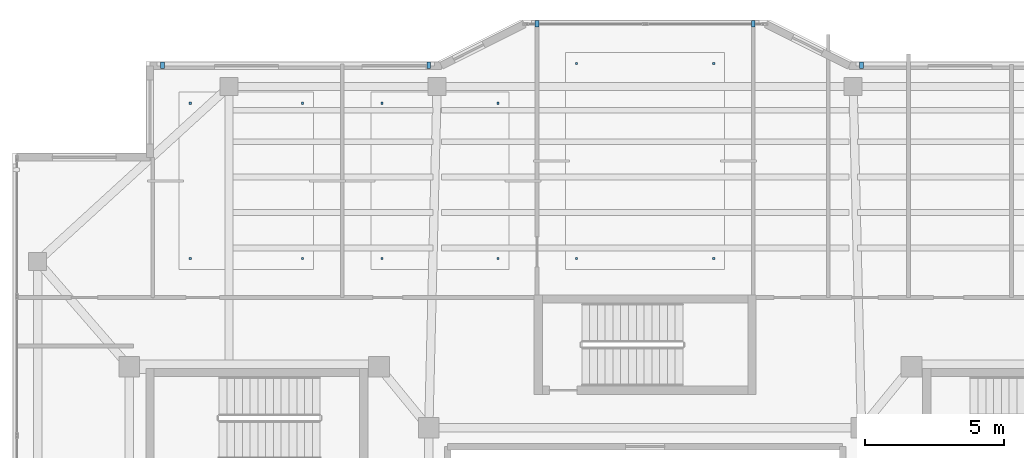
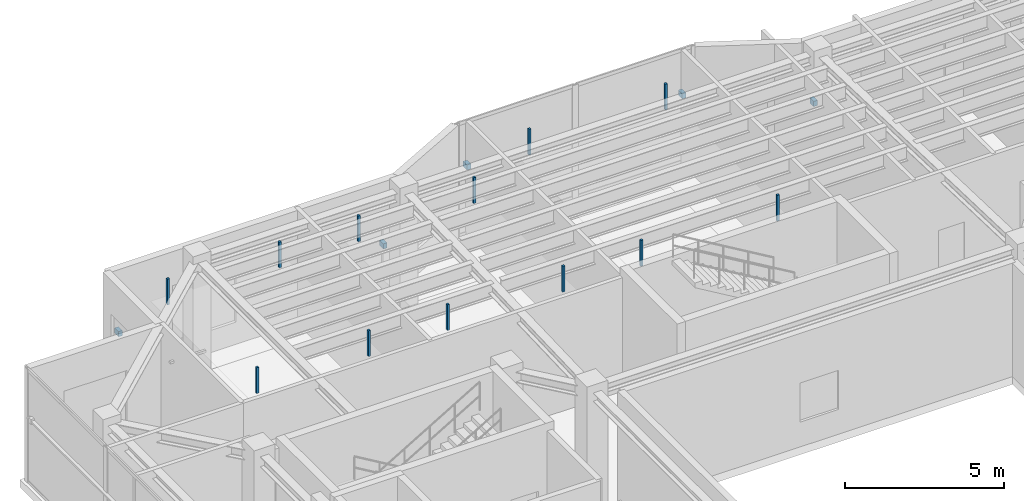
# One storey, part 21 of 25: 17 discrete accessories.
"""IFC4 building model written with IfcOpenShell, lengths in metres."""

import ifcopenshell
import ifcopenshell.guid

model = None  # the IFC model being written
_history = None  # IfcOwnerHistory: only IFC2X3 demands one
_inside = {}  # id of a spatial element -> (the spatial element, [elements in it])
_under = {}  # id of a project, library or spatial element -> (it, [spatial elements below it])
_declared = {}  # id of a project -> (the project, [libraries it declares])
_typed = {}  # id of a type object -> (the type object, [elements of that type])
_made_of = {}  # id of a material, layer set ... -> (it, [elements and type objects made of it])


def new_model(schema):
    """Start an empty IFC model of exactly this schema.

    Asked for "IFC4X3", IfcOpenShell would pick the latest addendum, in which some entities
    have other attributes; the version numbers below select the first issue.
    IFC2X3 requires an IfcOwnerHistory on every rooted entity: one is made here for all.
    """
    global model, _history
    if schema == "IFC4X3":
        model = ifcopenshell.file(schema_version=(4, 3, 0, 0))
    else:
        model = ifcopenshell.file(schema=schema)
    _inside.clear()
    _under.clear()
    _declared.clear()
    _typed.clear()
    _made_of.clear()
    _history = None
    if model.schema == "IFC2X3":
        org = make("IfcOrganization", Name="unknown")
        user = make(
            "IfcPersonAndOrganization",
            ThePerson=make("IfcPerson", FamilyName="unknown"),
            TheOrganization=org,
        )
        app = make(
            "IfcApplication",
            ApplicationDeveloper=org,
            Version="unknown",
            ApplicationFullName="unknown",
            ApplicationIdentifier="unknown",
        )
        _history = make(
            "IfcOwnerHistory",
            OwningUser=user,
            OwningApplication=app,
            ChangeAction="ADDED",
            CreationDate=0,
        )
    return model


def make(cls, **values):
    """One entity of the class cls with the attributes given. An attribute that is None is left unset."""
    return model.create_entity(
        cls, **{name: value for name, value in values.items() if value is not None}
    )


def rooted(cls, **values):
    """An entity with a GlobalId (a new one), such as an element, a storey or a relation."""
    return make(cls, GlobalId=ifcopenshell.guid.new(), OwnerHistory=_history, **values)


def si_unit(unit_type, name, prefix=None):
    """IfcSIUnit, for example si_unit("LENGTHUNIT", "METRE", prefix="MILLI")."""
    return make("IfcSIUnit", UnitType=unit_type, Prefix=prefix, Name=name)


def assignment(units):
    """IfcUnitAssignment: the units of a project."""
    return None if units is None else make("IfcUnitAssignment", Units=units)


def point(xyz):
    """IfcCartesianPoint."""
    return None if xyz is None else make("IfcCartesianPoint", Coordinates=xyz)


def direction(xyz):
    """IfcDirection."""
    return None if xyz is None else make("IfcDirection", DirectionRatios=xyz)


def frame(location, z_axis=None, x_axis=None):
    """IfcAxis2Placement3D, a coordinate frame: its origin and axes. An axis left out is left unset."""
    return make(
        "IfcAxis2Placement3D",
        Location=point(location),
        Axis=direction(z_axis),
        RefDirection=direction(x_axis),
    )


def frame_2d(location, x_axis=None):
    """IfcAxis2Placement2D, a coordinate frame in the plane: its origin and x axis."""
    return make(
        "IfcAxis2Placement2D", Location=point(location), RefDirection=direction(x_axis)
    )


def origin():
    """The frame at (0, 0, 0) with its axes left unset."""
    return frame((0.0, 0.0, 0.0))


def origin_2d():
    """The frame at (0, 0) in the plane with its x axis left unset."""
    return frame_2d((0.0, 0.0))


def place(relative_to, where):
    """IfcLocalPlacement: puts the frame where relative to a parent placement (None: the world)."""
    return make(
        "IfcLocalPlacement", PlacementRelTo=relative_to, RelativePlacement=where
    )


def context(
    kind, dimensions, precision=None, world=None, true_north=None, identifier=None
):
    """IfcGeometricRepresentationContext, for example the 3D "Model" context."""
    return make(
        "IfcGeometricRepresentationContext",
        ContextIdentifier=identifier,
        ContextType=kind,
        CoordinateSpaceDimension=dimensions,
        Precision=precision,
        WorldCoordinateSystem=world,
        TrueNorth=true_north,
    )


def subcontext(parent, identifier, kind, view, scale=None):
    """IfcGeometricRepresentationSubContext, for example "Body" below "Model"."""
    return make(
        "IfcGeometricRepresentationSubContext",
        ContextIdentifier=identifier,
        ContextType=kind,
        ParentContext=parent,
        TargetScale=scale,
        TargetView=view,
    )


def project(units=None, contexts=None):
    """IfcProject with its units and contexts."""
    return rooted(
        "IfcProject",
        Name="project",
        RepresentationContexts=contexts,
        UnitsInContext=assignment(units),
    )


def spatial(cls, under=None, at=None, **own):
    """A site, building, storey or space (cls), placed at a placement, below another one or the project."""
    s = rooted(cls, ObjectPlacement=at, **own)
    if under is not None:
        _under.setdefault(under.id(), (under, []))[1].append(s)
    return s


def profile(cls, at=None, kind="AREA", **sizes):
    """A parametric profile (cls). Its sizes go by their IFC names, for example OverallWidth=200.0."""
    return make(cls, ProfileType=kind, Position=at, **sizes)


def rectangle(**sizes):
    """IfcRectangleProfileDef."""
    return profile("IfcRectangleProfileDef", **sizes)


def extrude(swept, where, along, depth):
    """IfcExtrudedAreaSolid: the profile swept, set in the frame where, extruded along a direction by depth."""
    return make(
        "IfcExtrudedAreaSolid",
        SweptArea=swept,
        Position=where,
        ExtrudedDirection=direction(along),
        Depth=depth,
    )


def shape(context_of_items, identifier, shape_type, items):
    """IfcShapeRepresentation: the items that make up one representation, for example the "Body"."""
    return make(
        "IfcShapeRepresentation",
        ContextOfItems=context_of_items,
        RepresentationIdentifier=identifier,
        RepresentationType=shape_type,
        Items=items,
    )


def material(Name=None, Category=None):
    """IfcMaterial."""
    return make("IfcMaterial", Name=Name, Category=Category)


def made_of(thing, what):
    """Note that an element or type object is made of a material, layer set ...; save() writes the relation."""
    if what is not None:
        _made_of.setdefault(what.id(), (what, []))[1].append(thing)
    return thing


def type_object(cls, material=None, **own):
    """A type object (cls), such as IfcWallType, which elements share."""
    return made_of(rooted(cls, **own), material)


def element(
    cls,
    number,
    at=None,
    inside=None,
    cuts=None,
    type_object=None,
    material=None,
    context=None,
    identifier="Body",
    shape_type=None,
    held_by="IfcProductDefinitionShape",
    body=None,
    shapes=None,
    **own,
):
    """One element of the class cls, such as IfcWall. Its Tag is "e" and its number.

    at: its placement. inside: the storey or other place that contains it. cuts: it is an
    opening in that element (IfcRelVoidsElement). A single representation is given by context,
    identifier, shape_type and body (its items); several are given by shapes. held_by: the class
    of the entity that holds the representations. save() writes the other relations.
    """
    e = rooted(cls, Tag="e%d" % number, ObjectPlacement=at, **own)
    if body is not None:
        shapes = [shape(context, identifier, shape_type, body)]
    if shapes is not None:
        e.Representation = make(held_by, Representations=shapes)
    if inside is not None:
        _inside.setdefault(inside.id(), (inside, []))[1].append(e)
    if cuts is not None:
        rooted(
            "IfcRelVoidsElement", RelatingBuildingElement=cuts, RelatedOpeningElement=e
        )
    if type_object is not None:
        _typed.setdefault(type_object.id(), (type_object, []))[1].append(e)
    return made_of(e, material)


def aggregate(whole, parts):
    """IfcRelAggregates: a whole, such as a stair, and the parts it consists of."""
    return rooted("IfcRelAggregates", RelatingObject=whole, RelatedObjects=parts)


def save(model, path):
    """Write the relations noted so far, then the file.

    IfcRelAggregates (storeys below a building ...), IfcRelContainedInSpatialStructure (elements
    in a storey), IfcRelDefinesByType, IfcRelAssociatesMaterial and IfcRelDeclares: one each for
    every whole, place, type object, material and project.
    """
    for whole, parts in _under.values():
        aggregate(whole, parts)
    for where, things in _inside.values():
        rooted(
            "IfcRelContainedInSpatialStructure",
            RelatedElements=things,
            RelatingStructure=where,
        )
    for kind, things in _typed.values():
        rooted("IfcRelDefinesByType", RelatedObjects=things, RelatingType=kind)
    for what, things in _made_of.values():
        rooted("IfcRelAssociatesMaterial", RelatedObjects=things, RelatingMaterial=what)
    for by, libraries in _declared.values():
        rooted("IfcRelDeclares", RelatingContext=by, RelatedDefinitions=libraries)
    model.write(path)


model = new_model("IFC4")

# Units and contexts
model_context = context("Model", 3, precision=1e-05, world=origin(), true_north=direction((0.0, 1.0)))
body_context = subcontext(model_context, "Body", "Model", "MODEL_VIEW")
ifc_project = project(units=[si_unit("LENGTHUNIT", "METRE"), si_unit("AREAUNIT", "SQUARE_METRE"), si_unit("VOLUMEUNIT", "CUBIC_METRE"), si_unit("PLANEANGLEUNIT", "RADIAN"), si_unit("MASSUNIT", "GRAM", prefix="KILO")], contexts=[model_context])

# Site, building, storey
site_placement = place(None, origin())
site = spatial("IfcSite", under=ifc_project, at=site_placement, CompositionType="ELEMENT")
building_placement = place(site_placement, origin())
building = spatial("IfcBuilding", under=site, at=building_placement, Name="Tarnavaz Court Tower", CompositionType="ELEMENT")
storey_placement = place(building_placement, frame((0.0, 0.0, 271.64990234375)))
storey = spatial("IfcBuildingStorey", under=building, at=storey_placement, Name="L74", CompositionType="ELEMENT", Elevation=271.64990234375)

# Discrete accessories
ifc_material = material(Name="Anodised Aluminium 6063-T6", Category="aluminium")
discrete_accessory_type = type_object("IfcDiscreteAccessoryType", Name="DA-BRKT-ALU", PredefinedType="BRACKET", material=ifc_material)
for number, where, z_axis, x_axis, name in (
    (1, (-17.39990234375, 20.8701171875, 1.75), (0.0, 0.0, 1.0), (1.0, 0.0, 0.0), "L74 Baguette Outrigger Bracket FBG05-1"),
    (2, (-7.800048828125, 20.8701171875, 1.75), (0.0, 0.0, 1.0), (1.0, 0.0, 0.0), "L74 Baguette Outrigger Bracket FBG05-2"),
    (3, (-3.89990234375, 22.3701171875, 2.5), (0.0, 0.0, 1.0), (1.0, 0.0, 0.0), "L74 Baguette Outrigger Bracket OBG7-1"),
    (4, (3.89990234375, 22.3701171875, 2.5), (0.0, 0.0, 1.0), (1.0, 0.0, 0.0), "L74 Baguette Outrigger Bracket OBG7-2"),
    (5, (7.800048828125, 20.8701171875, 1.75), (0.0, 0.0, 1.0), (1.0, 0.0, 0.0), "L74 Baguette Outrigger Bracket FBG09-1"),
):
    element("IfcDiscreteAccessory", number, at=place(storey_placement, frame(where, z_axis=z_axis, x_axis=x_axis)), inside=storey, type_object=discrete_accessory_type, Name=name, PredefinedType="BRACKET", context=body_context, shape_type="SweptSolid", body=[
        extrude(rectangle(XDim=0.139892578125, YDim=0.239990234375, at=origin_2d()), origin(), (0.0, 0.0, 1.0), 0.199951171875),
    ])
for number, where, z_axis, x_axis, name in (
    (6, (-16.39990234375, 13.89990234375, 3.39013671875), (0.0, 0.0, 1.0), (1.0, 0.0, 0.0), "L74 Ceiling Suspension Hanger Bracket 01-1"),
    (7, (-12.34912109375, 13.89990234375, 3.39013671875), (0.0, 0.0, 1.0), (1.0, 0.0, 0.0), "L74 Ceiling Suspension Hanger Bracket 01-2"),
    (8, (-12.34912109375, 19.5, 3.39013671875), (0.0, 0.0, 1.0), (1.0, 0.0, 0.0), "L74 Ceiling Suspension Hanger Bracket 01-3"),
    (9, (-16.39990234375, 19.5, 3.39013671875), (0.0, 0.0, 1.0), (1.0, 0.0, 0.0), "L74 Ceiling Suspension Hanger Bracket 01-4"),
    (10, (-9.489013671875, 13.89990234375, 3.39013671875), (0.0, 0.0, 1.0), (1.0, 0.0, 0.0), "L74 Ceiling Suspension Hanger Bracket 02-1"),
    (11, (-5.300048828125, 13.89990234375, 3.39013671875), (0.0, 0.0, 1.0), (1.0, 0.0, 0.0), "L74 Ceiling Suspension Hanger Bracket 02-2"),
    (12, (-5.300048828125, 19.5, 3.39013671875), (0.0, 0.0, 1.0), (1.0, 0.0, 0.0), "L74 Ceiling Suspension Hanger Bracket 02-3"),
    (13, (-9.489013671875, 19.5, 3.39013671875), (0.0, 0.0, 1.0), (1.0, 0.0, 0.0), "L74 Ceiling Suspension Hanger Bracket 02-4"),
    (14, (-2.469970703125, 13.89990234375, 3.39013671875), (0.0, 0.0, 1.0), (1.0, 0.0, 0.0), "L74 Ceiling Suspension Hanger Bracket 03-1"),
    (15, (2.469970703125, 13.89990234375, 3.39013671875), (0.0, 0.0, 1.0), (1.0, 0.0, 0.0), "L74 Ceiling Suspension Hanger Bracket 03-2"),
    (16, (2.469970703125, 20.929931640625, 3.39013671875), (0.0, 0.0, 1.0), (1.0, 0.0, 0.0), "L74 Ceiling Suspension Hanger Bracket 03-3"),
    (17, (-2.469970703125, 20.929931640625, 3.39013671875), (0.0, 0.0, 1.0), (1.0, 0.0, 0.0), "L74 Ceiling Suspension Hanger Bracket 03-4"),
):
    element("IfcDiscreteAccessory", number, at=place(storey_placement, frame(where, z_axis=z_axis, x_axis=x_axis)), inside=storey, type_object=discrete_accessory_type, Name=name, PredefinedType="BRACKET", context=body_context, shape_type="SweptSolid", body=[
        extrude(rectangle(XDim=0.080078125, YDim=0.080078125, at=origin_2d()), origin(), (0.0, 0.0, 1.0), 0.989990234375),
    ])

save(model, "model.ifc")
